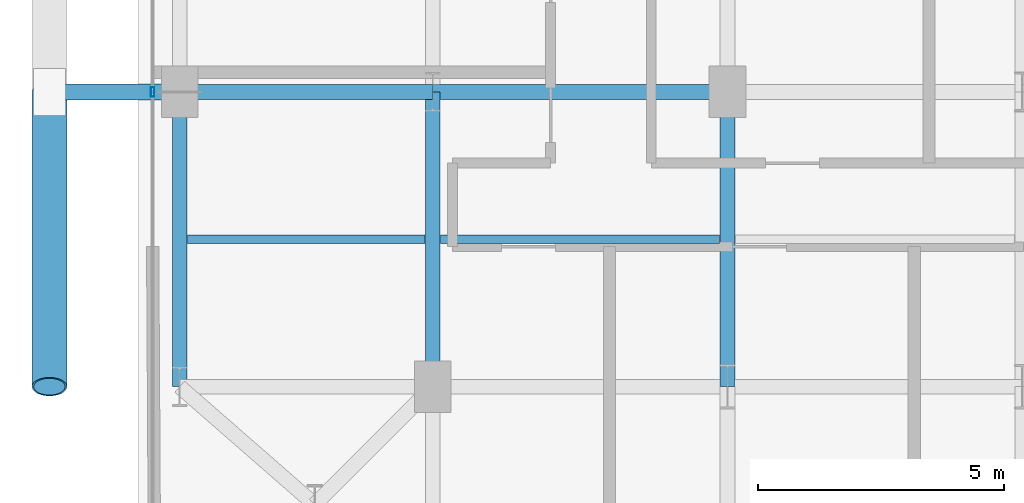
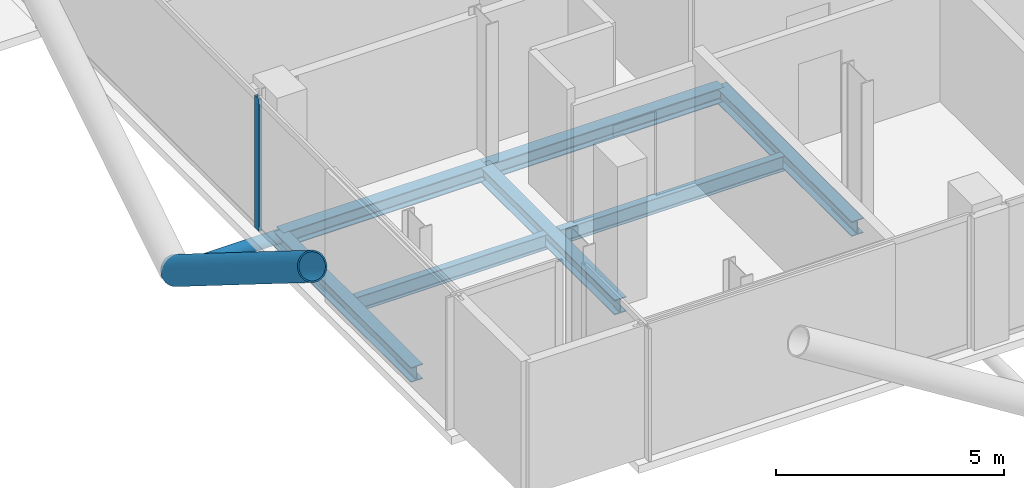
# One storey, part 3 of 26: 7 beams, 3 members, 1 element without a shape of its own.
"""IFC4 building model written with IfcOpenShell, lengths in metres."""

from ifc_helpers import new_model, si_unit, direction, frame, origin, origin_2d, place, context, subcontext, project, spatial, hollow_rectangle, hollow_circle, i_section, extrude, material, layer, layer_set, material_profile, profile_set, type_object, element, aggregate, save


model = new_model("IFC4")

# Units and contexts
model_context = context("Model", 3, precision=1e-05, world=origin(), true_north=direction((0.0, 1.0)))
body_context = subcontext(model_context, "Body", "Model", "MODEL_VIEW")
ifc_project = project(units=[si_unit("LENGTHUNIT", "METRE"), si_unit("AREAUNIT", "SQUARE_METRE"), si_unit("VOLUMEUNIT", "CUBIC_METRE"), si_unit("PLANEANGLEUNIT", "RADIAN"), si_unit("MASSUNIT", "GRAM", prefix="KILO"), si_unit("THERMODYNAMICTEMPERATUREUNIT", "KELVIN"), si_unit("POWERUNIT", "WATT")], contexts=[model_context])

# Site, building, storey
site_placement = place(None, origin())
site = spatial("IfcSite", under=ifc_project, at=site_placement, CompositionType="ELEMENT")
building_placement = place(site_placement, origin())
building = spatial("IfcBuilding", under=site, at=building_placement, Name="Svarakhadi Broadcast Tower", CompositionType="ELEMENT")
storey_placement = place(building_placement, frame((0.0, 0.0, 184.199951171875)))
storey = spatial("IfcBuildingStorey", under=building, at=storey_placement, Name="L45", CompositionType="ELEMENT", Elevation=184.199951171875)

# Beams
ifc_material_1 = material(Name="Steel S355J2 (IS 2062 E350C)", Category="steel")
ifc_material_profile_1 = material_profile(ifc_material_1, i_section(OverallWidth=0.179931640625, OverallDepth=0.39990234375, WebThickness=0.008544921875, FlangeThickness=0.013427734375, FilletRadius=0.02099609375, at=origin_2d()), Name="NPB 400x180x66")
ifc_profile_set_1 = profile_set([ifc_material_profile_1], Name="Steel S355J2 (IS 2062 E350C)")
beam_type_1 = type_object("IfcBeamType", Name="Beam_NPB400", PredefinedType="BEAM", material=ifc_profile_set_1)
beam_1_placement = place(storey_placement, frame((1.010009765625, 9.0, -0.409912109375), z_axis=(1.0, 0.0, 0.0), x_axis=(0.0, 1.0, 0.0)))
element("IfcBeam", 1, at=beam_1_placement, inside=storey, type_object=beam_type_1, Name="L45 Secondary Composite Beam SB001", PredefinedType="BEAM", context=body_context, shape_type="SweptSolid", body=[
    extrude(i_section(OverallWidth=0.179931640625, OverallDepth=0.39990234375, WebThickness=0.008544921875, FlangeThickness=0.013427734375, FilletRadius=0.02099609375, at=origin_2d()), origin(), (0.0, 0.0, 1.0), 4.830078125),
])
beam_2_placement = place(storey_placement, frame((6.159912109375, 9.0, -0.409912109375), z_axis=(1.0, 0.0, 0.0), x_axis=(0.0, 1.0, 0.0)))
element("IfcBeam", 2, at=beam_2_placement, inside=storey, type_object=beam_type_1, Name="L45 Secondary Composite Beam SB006", PredefinedType="BEAM", context=body_context, shape_type="SweptSolid", body=[
    extrude(i_section(OverallWidth=0.179931640625, OverallDepth=0.39990234375, WebThickness=0.008544921875, FlangeThickness=0.013427734375, FilletRadius=0.02099609375, at=origin_2d()), origin(), (0.0, 0.0, 1.0), 5.68017578125),
])

# Curtain wall, member
ifc_material_2 = material(Name="Anodised Bronze Aluminium AA 6063-T6", Category="aluminium")
ifc_layer = layer(ifc_material_2, 0.18994140625)
ifc_layer_set = layer_set([ifc_layer], Name="Anodised Bronze Aluminium AA 6063-T6")
curtain_wall_type = type_object("IfcCurtainWallType", Name="CW_Sys_04", PredefinedType="NOTDEFINED", material=ifc_layer_set)
curtain_wall_placement = place(storey_placement, origin())
curtain_wall = element("IfcCurtainWall", 3, at=curtain_wall_placement, inside=storey, type_object=curtain_wall_type, Name="L45 West Curtain Wall 02", PredefinedType="NOTDEFINED")
ifc_material_profile_2 = material_profile(ifc_material_2, hollow_rectangle(XDim=0.070068359375, YDim=0.18994140625, WallThickness=0.005615234375, at=origin_2d()), Name="ALU MULLION 190x70x6")
ifc_profile_set_2 = profile_set([ifc_material_profile_2], Name="Anodised Bronze Aluminium AA 6063-T6")
member_type_1 = type_object("IfcMemberType", Name="CW_Sys_04_Mul", PredefinedType="MULLION", material=ifc_profile_set_2)
member_1_placement = place(storey_placement, frame((0.300048828125, 12.0, 0.0), z_axis=(0.0, 0.0, 1.0), x_axis=(-1.0, 0.0, 0.0)))
member_1 = element("IfcMember", 4, at=member_1_placement, type_object=member_type_1, Name="CW-04 mullion 2", PredefinedType="MULLION", context=body_context, shape_type="SweptSolid", body=[
    extrude(hollow_rectangle(XDim=0.070068359375, YDim=0.18994140625, WallThickness=0.005615234375, at=origin_2d()), origin(), (0.0, 0.0, 1.0), 3.5400390625),
])
aggregate(curtain_wall, [member_1])

# Members
ifc_material_3 = material(Name="Steel S460ML (IS 2062 E450BR)", Category="steel")
ifc_material_profile_3 = material_profile(ifc_material_3, hollow_circle(Radius=0.35546875, WallThickness=0.034912109375, at=origin_2d()), Name="CHS 711x35")
ifc_profile_set_3 = profile_set([ifc_material_profile_3], Name="Steel S460ML (IS 2062 E450BR)")
member_type_2 = type_object("IfcMemberType", Name="Exo_Brace_CHS711", PredefinedType="BRACE", material=ifc_profile_set_3)
member_2_placement = place(storey_placement, frame((-1.800048828125, 12.0, -0.371826171875), z_axis=(0.0, -0.847998304005, 0.529998940003), x_axis=(1.0, 0.0, 0.0)))
element("IfcMember", 5, at=member_2_placement, inside=storey, type_object=member_type_2, Name="L45 Exposed Bronze Exoskeleton Diagonal W04", PredefinedType="BRACE", context=body_context, shape_type="SweptSolid", body=[
    extrude(hollow_circle(Radius=0.35546875, WallThickness=0.034912109375, at=origin_2d()), origin(), (0.0, 0.0, 1.0), 7.075439453125),
])
ifc_material_profile_4 = material_profile(ifc_material_3, hollow_circle(Radius=0.161865234375, WallThickness=0.01611328125, at=origin_2d()), Name="CHS 323.9x16")
ifc_profile_set_4 = profile_set([ifc_material_profile_4], Name="Steel S460ML (IS 2062 E450BR)")
member_type_3 = type_object("IfcMemberType", Name="Exo_Radial_Strut_Z2", PredefinedType="STRUT", material=ifc_profile_set_4)
member_3_placement = place(storey_placement, frame((-1.800048828125, 12.0, -0.371826171875), z_axis=(1.0, 0.0, 0.0), x_axis=(0.0, 1.0, 0.0)))
element("IfcMember", 6, at=member_3_placement, inside=storey, type_object=member_type_3, Name="L45 Exoskeleton Radial Tie Strut W03", PredefinedType="STRUT", context=body_context, shape_type="SweptSolid", body=[
    extrude(hollow_circle(Radius=0.161865234375, WallThickness=0.01611328125, at=origin_2d()), origin(), (0.0, 0.0, 1.0), 2.650146484375),
])

# Beams
ifc_material_profile_5 = material_profile(ifc_material_1, i_section(OverallWidth=0.300048828125, OverallDepth=0.39990234375, WebThickness=0.013427734375, FlangeThickness=0.02392578125, FilletRadius=0.027099609375, at=origin_2d()), Name="WPB 400x300x155")
ifc_profile_set_5 = profile_set([ifc_material_profile_5], Name="Steel S355J2 (IS 2062 E350C)")
beam_type_2 = type_object("IfcBeamType", Name="Girder_WPB400", PredefinedType="USERDEFINED", material=ifc_profile_set_5)
beam_3_placement = place(storey_placement, frame((0.85009765625, 12.0, -0.409912109375), z_axis=(1.0, 0.0, 0.0), x_axis=(0.0, 1.0, 0.0)))
element("IfcBeam", 7, at=beam_3_placement, inside=storey, type_object=beam_type_2, Name="L45 Primary E-W Girder G015", ObjectType="GIRDER", PredefinedType="USERDEFINED", context=body_context, shape_type="SweptSolid", body=[
    extrude(i_section(OverallWidth=0.300048828125, OverallDepth=0.39990234375, WebThickness=0.013427734375, FlangeThickness=0.02392578125, FilletRadius=0.027099609375, at=origin_2d()), origin(), (0.0, 0.0, 1.0), 5.14990234375),
])
for number, where, z_axis, x_axis, name in (
    (8, (6.0, 12.0, -0.409912109375), (1.0, 0.0, 0.0), (0.0, 1.0, 0.0), "L45 Primary E-W Girder G016"),
    (9, (0.85009765625, 6.0, -0.409912109375), (0.0, 1.0, 0.0), (-1.0, 0.0, 0.0), "L45 Primary N-S Girder G033"),
    (10, (6.0, 6.0, -0.409912109375), (0.0, 1.0, 0.0), (-1.0, 0.0, 0.0), "L45 Primary N-S Girder G038"),
    (11, (12.0, 6.0, -0.409912109375), (0.0, 1.0, 0.0), (-1.0, 0.0, 0.0), "L45 Primary N-S Girder G043"),
):
    element("IfcBeam", number, at=place(storey_placement, frame(where, z_axis=z_axis, x_axis=x_axis)), inside=storey, type_object=beam_type_2, Name=name, ObjectType="GIRDER", PredefinedType="USERDEFINED", context=body_context, shape_type="SweptSolid", body=[
        extrude(i_section(OverallWidth=0.300048828125, OverallDepth=0.39990234375, WebThickness=0.013427734375, FlangeThickness=0.02392578125, FilletRadius=0.027099609375, at=origin_2d()), origin(), (0.0, 0.0, 1.0), 6.0),
    ])

save(model, "model.ifc")
